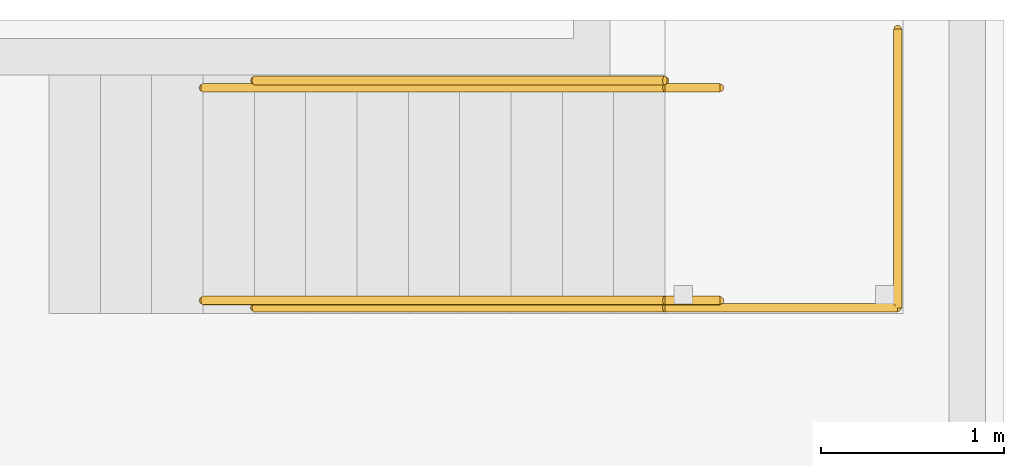
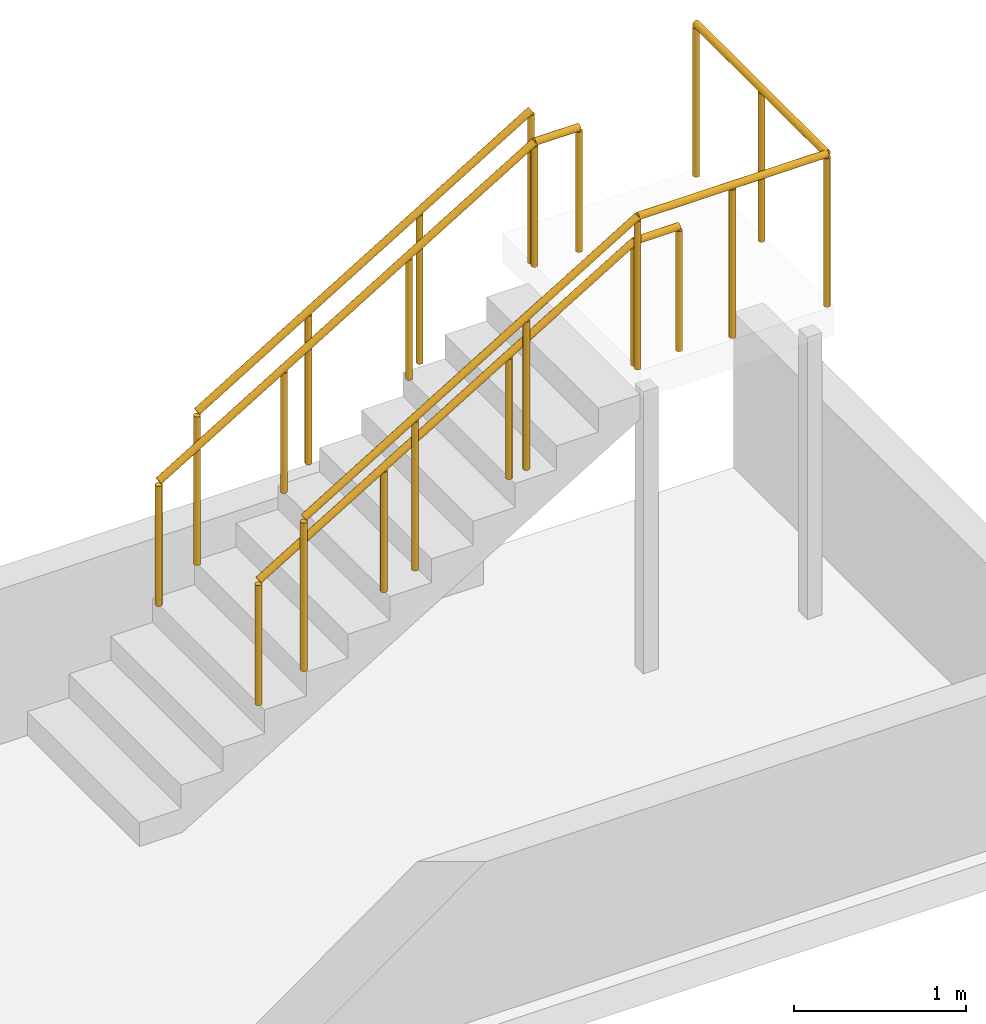
# One storey, part 2 of 2: 4 railings.
"""IFC4 building model written with IfcOpenShell, lengths in metres."""

from ifc_helpers import new_model, si_unit, direction, frame, origin, origin_2d, place, context, subcontext, project, spatial, circle, extrude, source, transform, mapped, material, type_object, element, save


model = new_model("IFC4")

# Units and contexts
model_context = context("Model", 3, precision=1e-05, world=origin(), true_north=direction((0.0, 1.0)))
body_context = subcontext(model_context, "Body", "Model", "MODEL_VIEW")
ifc_project = project(units=[si_unit("LENGTHUNIT", "METRE"), si_unit("AREAUNIT", "SQUARE_METRE"), si_unit("VOLUMEUNIT", "CUBIC_METRE"), si_unit("PLANEANGLEUNIT", "RADIAN"), si_unit("MASSUNIT", "GRAM", prefix="KILO")], contexts=[model_context])

# Site, building, storey
site_placement = place(None, origin())
site = spatial("IfcSite", under=ifc_project, at=site_placement, CompositionType="ELEMENT")
building_placement = place(site_placement, origin())
building = spatial("IfcBuilding", under=site, at=building_placement, Name="Triune Harvest Tower", CompositionType="ELEMENT")
storey_placement = place(building_placement, frame((0.0, 0.0, 302.5)))
storey = spatial("IfcBuildingStorey", under=building, at=storey_placement, Name="ROOF STAIR HEAD", CompositionType="ELEMENT", Elevation=302.5)

# Railings
ifc_material_1 = material(Name="Stainless steel AISI 316", Category="steel")
railing_type_1 = type_object("IfcRailingType", Name="Stair well guard 1100", PredefinedType="GUARDRAIL", material=ifc_material_1)
railing_1_placement = place(storey_placement, frame((-0.239990234375, -7.56005859375, 0.84619140625)))
element("IfcRailing", 1, at=railing_1_placement, inside=storey, type_object=railing_type_1, Name="RA-2 guard south and landing", PredefinedType="GUARDRAIL", context=body_context, shape_type="SweptSolid", body=[
    extrude(circle(Radius=0.02392578125, at=origin_2d()), frame((0.0, 0.0, 1.076171875), z_axis=(0.855842422175, 0.0, 0.517236646426), x_axis=(0.0, 1.0, 0.0)), (0.0, 0.0, 1.0), 2.6171875),
    extrude(circle(Radius=0.02392578125, at=origin_2d()), frame((2.239990234375, 0.0, 2.4296875), z_axis=(1.0, 0.0, 0.0), x_axis=(0.0, 1.0, 0.0)), (0.0, 0.0, 1.0), 1.27001953125),
    extrude(circle(Radius=0.02392578125, at=origin_2d()), frame((3.510009765625, 0.0, 2.4296875), z_axis=(0.0, 1.0, 0.0), x_axis=(-1.0, 0.0, 0.0)), (0.0, 0.0, 1.0), 1.52001953125),
    extrude(circle(Radius=0.02099609375, at=origin_2d()), origin(), (0.0, 0.0, 1.0), 1.052001953125),
    extrude(circle(Radius=0.02099609375, at=origin_2d()), frame((0.74658203125, 0.0, 0.451171875)), (0.0, 0.0, 1.0), 1.052001953125),
    extrude(circle(Radius=0.02099609375, at=origin_2d()), frame((1.493408203125, 0.0, 0.902587890625)), (0.0, 0.0, 1.0), 1.052001953125),
    extrude(circle(Radius=0.02099609375, at=origin_2d()), frame((2.239990234375, 0.0, 1.353759765625)), (0.0, 0.0, 1.0), 1.052001953125),
    extrude(circle(Radius=0.02099609375, at=origin_2d()), frame((2.875, 0.0, 1.353759765625)), (0.0, 0.0, 1.0), 1.052001953125),
    extrude(circle(Radius=0.02099609375, at=origin_2d()), frame((3.510009765625, 0.0, 1.353759765625)), (0.0, 0.0, 1.0), 1.052001953125),
    extrude(circle(Radius=0.02099609375, at=origin_2d()), frame((3.510009765625, 0.760009765625, 1.353759765625)), (0.0, 0.0, 1.0), 1.052001953125),
    extrude(circle(Radius=0.02099609375, at=origin_2d()), frame((3.510009765625, 1.52001953125, 1.353759765625)), (0.0, 0.0, 1.0), 1.052001953125),
])
railing_2_placement = place(storey_placement, frame((-0.239990234375, -6.320068359375, 0.84619140625)))
element("IfcRailing", 2, at=railing_2_placement, inside=storey, type_object=railing_type_1, Name="RA-2 guard north", PredefinedType="GUARDRAIL", context=body_context, shape_type="SweptSolid", body=[
    extrude(circle(Radius=0.02392578125, at=origin_2d()), frame((0.0, 0.0, 1.076171875), z_axis=(0.855842422175, 0.0, 0.517236646426), x_axis=(0.0, 1.0, 0.0)), (0.0, 0.0, 1.0), 2.6171875),
    extrude(circle(Radius=0.02099609375, at=origin_2d()), origin(), (0.0, 0.0, 1.0), 1.052001953125),
    extrude(circle(Radius=0.02099609375, at=origin_2d()), frame((0.74658203125, 0.0, 0.451171875)), (0.0, 0.0, 1.0), 1.052001953125),
    extrude(circle(Radius=0.02099609375, at=origin_2d()), frame((1.493408203125, 0.0, 0.902587890625)), (0.0, 0.0, 1.0), 1.052001953125),
    extrude(circle(Radius=0.02099609375, at=origin_2d()), frame((2.239990234375, 0.0, 1.353759765625)), (0.0, 0.0, 1.0), 1.052001953125),
])
ifc_material_2 = material(Name="Stainless steel AISI 316", Category="steel")
railing_type_2 = type_object("IfcRailingType", Name="Stair handrail", PredefinedType="HANDRAIL", material=ifc_material_2)
shared_shape = source(origin(), body_context, "Body", "SweptSolid", [
    extrude(circle(Radius=0.02392578125, at=origin_2d()), frame((0.0, 0.0, 0.8759765625), z_axis=(0.855849782948, 0.0, 0.517224466773), x_axis=(0.0, 1.0, 0.0)), (0.0, 0.0, 1.0), 2.944580078125),
    extrude(circle(Radius=0.02392578125, at=origin_2d()), frame((2.52001953125, 0.0, 2.39892578125), z_axis=(1.0, 0.0, 0.0), x_axis=(0.0, 1.0, 0.0)), (0.0, 0.0, 1.0), 0.300048828125),
    extrude(circle(Radius=0.02099609375, at=origin_2d()), origin(), (0.0, 0.0, 1.0), 0.851806640625),
    extrude(circle(Radius=0.02099609375, at=origin_2d()), frame((0.840087890625, 0.0, 0.507568359375)), (0.0, 0.0, 1.0), 0.851806640625),
    extrude(circle(Radius=0.02099609375, at=origin_2d()), frame((1.679931640625, 0.0, 1.015380859375)), (0.0, 0.0, 1.0), 0.851806640625),
    extrude(circle(Radius=0.02099609375, at=origin_2d()), frame((2.52001953125, 0.0, 1.52294921875)), (0.0, 0.0, 1.0), 0.851806640625),
    extrude(circle(Radius=0.02099609375, at=origin_2d()), frame((2.820068359375, 0.0, 1.52294921875)), (0.0, 0.0, 1.0), 0.851806640625),
])
for number, where, name in (
    (3, (-0.52001953125, -7.52001953125, 0.677001953125), "RA-2 south handrail"),
    (4, (-0.52001953125, -6.360107421875, 0.677001953125), "RA-2 north handrail"),
):
    element("IfcRailing", number, at=place(storey_placement, frame(where)), inside=storey, type_object=railing_type_2, Name=name, PredefinedType="HANDRAIL", context=body_context, shape_type="MappedRepresentation", body=[
        mapped(shared_shape, transform((0.0, 0.0, 0.0), scale=1.0)),
    ])

save(model, "model.ifc")
